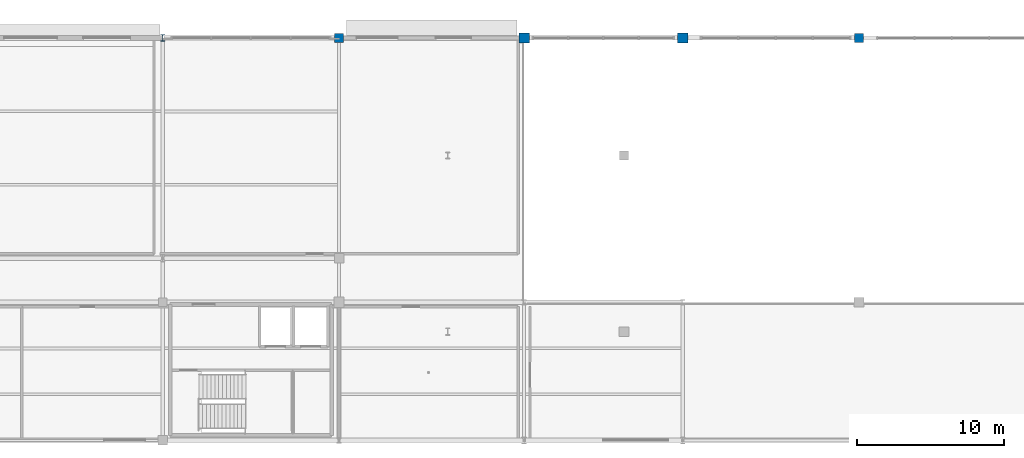
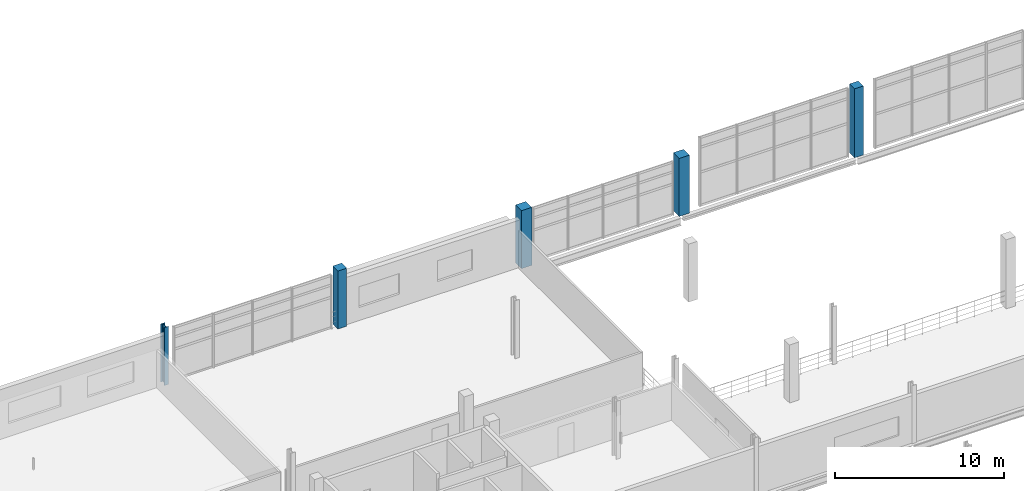
# One storey, part 24 of 89: 5 columns.
"""IFC4 building model written with IfcOpenShell, lengths in metres."""

from ifc_helpers import new_model, si_unit, direction, frame, origin, origin_2d, place, context, subcontext, project, spatial, rectangle, i_section, extrude, material, material_profile, profile_set, type_object, element, save


model = new_model("IFC4")

# Units and contexts
model_context = context("Model", 3, precision=1e-05, world=origin(), true_north=direction((0.0, 1.0)))
body_context = subcontext(model_context, "Body", "Model", "MODEL_VIEW")
ifc_project = project(units=[si_unit("LENGTHUNIT", "METRE"), si_unit("AREAUNIT", "SQUARE_METRE"), si_unit("VOLUMEUNIT", "CUBIC_METRE"), si_unit("PLANEANGLEUNIT", "RADIAN"), si_unit("MASSUNIT", "GRAM", prefix="KILO"), si_unit("THERMODYNAMICTEMPERATUREUNIT", "KELVIN"), si_unit("POWERUNIT", "WATT")], contexts=[model_context])

# Site, building, storey
site_placement = place(None, origin())
site = spatial("IfcSite", under=ifc_project, at=site_placement, CompositionType="ELEMENT")
building_placement = place(site_placement, origin())
building = spatial("IfcBuilding", under=site, at=building_placement, Name="Solmara Park Aquatics Centre", CompositionType="ELEMENT")
storey_placement = place(building_placement, frame((0.0, 0.0, 5.39990234375)))
storey = spatial("IfcBuildingStorey", under=building, at=storey_placement, Name="L01", CompositionType="ELEMENT", Elevation=5.39990234375)

# Columns
ifc_material_1 = material(Name="Structural Steel S355", Category="steel")
ifc_material_profile_1 = material_profile(ifc_material_1, i_section(OverallWidth=0.300048828125, OverallDepth=0.449951171875, WebThickness=0.013916015625, FlangeThickness=0.02587890625, FilletRadius=0.027099609375, at=origin_2d()), Name="HEB 450")
ifc_profile_set_1 = profile_set([ifc_material_profile_1], Name="Structural Steel S355")
column_type_1 = type_object("IfcColumnType", Name="STR-COL-HEB450", PredefinedType="COLUMN", material=ifc_profile_set_1)
column_1_placement = place(storey_placement, frame((84.60009765625, 136.0, 0.0), z_axis=(0.0, 0.0, 1.0), x_axis=(1.0, 0.0, 0.0)))
element("IfcColumn", 1, at=column_1_placement, inside=storey, type_object=column_type_1, Name="Column L01-0383", PredefinedType="COLUMN", context=body_context, shape_type="SweptSolid", body=[
    extrude(i_section(OverallWidth=0.300048828125, OverallDepth=0.449951171875, WebThickness=0.013916015625, FlangeThickness=0.02587890625, FilletRadius=0.027099609375, at=origin_2d()), origin(), (0.0, 0.0, 1.0), 4.2001953125),
])
ifc_material_2 = material(Name="Concrete C40/50", Category="concrete")
ifc_material_profile_2 = material_profile(ifc_material_2, rectangle(XDim=0.60009765625, YDim=0.60009765625, at=origin_2d()), Name="RC 600x600")
ifc_profile_set_2 = profile_set([ifc_material_profile_2], Name="Concrete C40/50")
column_type_2 = type_object("IfcColumnType", Name="STR-COL-RC600", PredefinedType="COLUMN", material=ifc_profile_set_2)
column_2_placement = place(storey_placement, frame((96.60009765625, 136.0, 0.0), z_axis=(0.0, 0.0, 1.0), x_axis=(1.0, 0.0, 0.0)))
element("IfcColumn", 2, at=column_2_placement, inside=storey, type_object=column_type_2, Name="Column L01-0393", PredefinedType="COLUMN", context=body_context, shape_type="SweptSolid", body=[
    extrude(rectangle(XDim=0.60009765625, YDim=0.60009765625, at=origin_2d()), origin(), (0.0, 0.0, 1.0), 4.2001953125),
])
column_3_placement = place(storey_placement, frame((132.0, 136.0, 0.0), z_axis=(0.0, 0.0, 1.0), x_axis=(1.0, 0.0, 0.0)))
element("IfcColumn", 3, at=column_3_placement, inside=storey, type_object=column_type_2, Name="Column L01-0423", PredefinedType="COLUMN", context=body_context, shape_type="SweptSolid", body=[
    extrude(rectangle(XDim=0.60009765625, YDim=0.60009765625, at=origin_2d()), origin(), (0.0, 0.0, 1.0), 5.0),
])
ifc_material_profile_3 = material_profile(ifc_material_2, rectangle(XDim=0.699951171875, YDim=0.699951171875, at=origin_2d()), Name="RC 700x700")
ifc_profile_set_3 = profile_set([ifc_material_profile_3], Name="Concrete C40/50")
column_type_3 = type_object("IfcColumnType", Name="STR-COL-RC700", PredefinedType="COLUMN", material=ifc_profile_set_3)
for number, where, z_axis, x_axis, name in (
    (4, (109.199951171875, 136.0, 0.0), (0.0, 0.0, 1.0), (1.0, 0.0, 0.0), "Column L01-0403"),
    (5, (120.0, 136.0, 0.0), (0.0, 0.0, 1.0), (1.0, 0.0, 0.0), "Column L01-0415"),
):
    element("IfcColumn", number, at=place(storey_placement, frame(where, z_axis=z_axis, x_axis=x_axis)), inside=storey, type_object=column_type_3, Name=name, PredefinedType="COLUMN", context=body_context, shape_type="SweptSolid", body=[
        extrude(rectangle(XDim=0.699951171875, YDim=0.699951171875, at=origin_2d()), origin(), (0.0, 0.0, 1.0), 4.2001953125),
    ])

save(model, "model.ifc")
